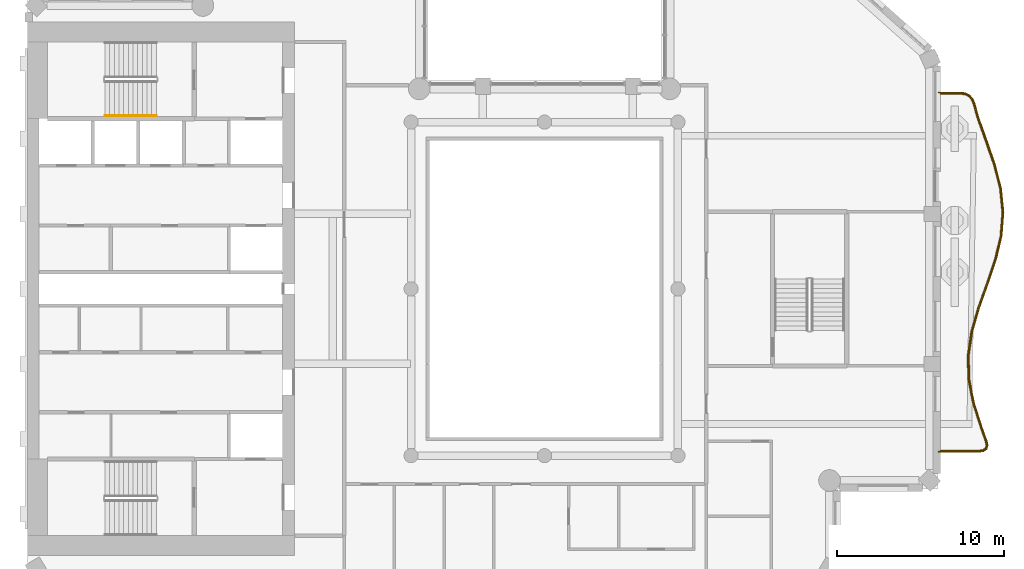
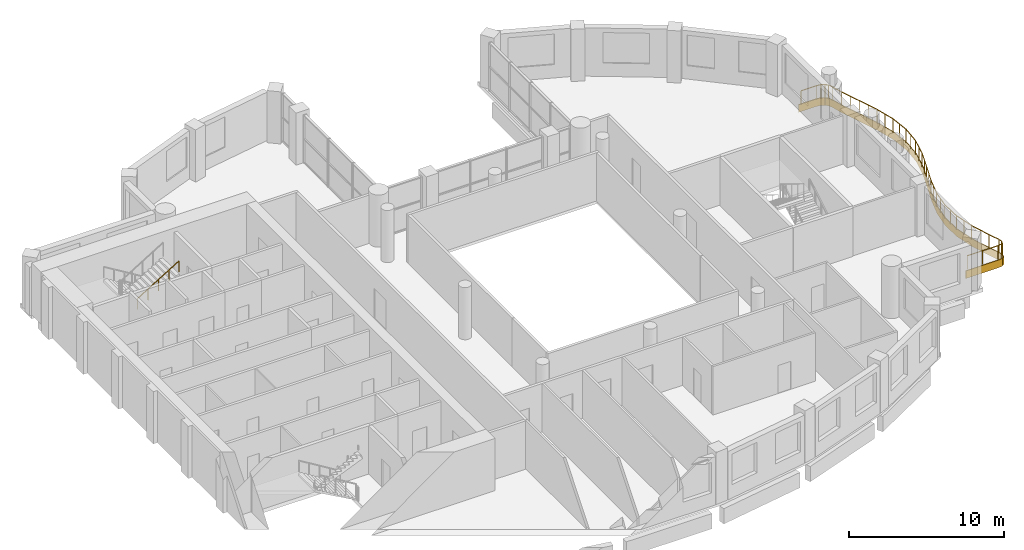
# One storey, part 12 of 14: 2 railings, 1 covering.
"""IFC4 building model written with IfcOpenShell, lengths in metres."""

from ifc_helpers import new_model, si_unit, direction, frame, origin, origin_2d, place, context, subcontext, project, spatial, polyline, rectangle, outline, extrude, material, layer, layer_set, type_object, element, save


model = new_model("IFC4")

# Units and contexts
model_context = context("Model", 3, precision=1e-05, world=origin(), true_north=direction((0.0, 1.0)))
body_context = subcontext(model_context, "Body", "Model", "MODEL_VIEW")
ifc_project = project(units=[si_unit("LENGTHUNIT", "METRE"), si_unit("AREAUNIT", "SQUARE_METRE"), si_unit("VOLUMEUNIT", "CUBIC_METRE"), si_unit("PLANEANGLEUNIT", "RADIAN"), si_unit("MASSUNIT", "GRAM", prefix="KILO")], contexts=[model_context])

# Site, building, storey
site_placement = place(None, origin())
site = spatial("IfcSite", under=ifc_project, at=site_placement, CompositionType="ELEMENT")
building_placement = place(site_placement, origin())
building = spatial("IfcBuilding", under=site, at=building_placement, Name="Cypress Arch Tower", CompositionType="ELEMENT")
storey_placement = place(building_placement, frame((0.0, 0.0, 276.199951171875)))
storey = spatial("IfcBuildingStorey", under=building, at=storey_placement, Name="L62", CompositionType="ELEMENT", Elevation=276.199951171875)

# Covering
ifc_material_1 = material(Name="White powder-coated aluminium fascia", Category="aluminium")
ifc_layer = layer(ifc_material_1, 0.050048828125)
ifc_layer_set = layer_set([ifc_layer], Name="Balcony fascia BF50")
covering_type = type_object("IfcCoveringType", Name="Balcony fascia BF50", PredefinedType="CLADDING", material=ifc_layer_set)
covering_placement = place(storey_placement, frame((0.0, 0.0, -0.599853515625)))
element("IfcCovering", 1, at=covering_placement, inside=storey, type_object=covering_type, Name="Balcony fascia L62-C17", PredefinedType="CLADDING", context=body_context, shape_type="SweptSolid", body=[
    extrude(outline(polyline([(25.92431640625, 11.800048828125), (26.239501953125, 11.758056640625), (26.497802734375, 11.629150390625), (26.690673828125, 11.414306640625), (26.814697265625, 11.121337890625), (27.031982421875, 10.331787109375), (27.5400390625, 8.89990234375), (28.038818359375, 7.46435546875), (28.405517578125, 6.025390625), (28.5498046875, 4.583740234375), (28.43505859375, 3.14208984375), (28.09033203125, 1.70263671875), (27.600830078125, 0.266845703125), (27.08740234375, -1.165283203125), (26.67529296875, -2.593994140625), (26.465087890625, -4.01953125), (26.507080078125, -5.4443359375), (26.791259765625, -6.870849609375), (27.249267578125, -8.300537109375), (27.5361328125, -9.09130859375), (27.5986328125, -9.388671875), (27.53515625, -9.619140625), (27.34033203125, -9.757568359375), (27.0390625, -9.800048828125), (24.60107421875, -9.800048828125), (24.60107421875, -9.75), (27.03564453125, -9.75), (27.3212890625, -9.709716796875), (27.49169921875, -9.5888671875), (27.54736328125, -9.38720703125), (27.48779296875, -9.10498046875), (27.201904296875, -8.316650390625), (26.742919921875, -6.88330078125), (26.457275390625, -5.449951171875), (26.414794921875, -4.0166015625), (26.62646484375, -2.583251953125), (27.039794921875, -1.14990234375), (27.5537109375, 0.283447265625), (28.042236328125, 1.716552734375), (28.385498046875, 3.14990234375), (28.49951171875, 4.583251953125), (28.356201171875, 6.0166015625), (27.99072265625, 7.449951171875), (27.49267578125, 8.88330078125), (26.984130859375, 10.316650390625), (26.767333984375, 11.10498046875), (26.64794921875, 11.38720703125), (26.467041015625, 11.5888671875), (26.224609375, 11.709716796875), (25.9208984375, 11.75), (24.60107421875, 11.75), (24.60107421875, 11.800048828125), (25.92431640625, 11.800048828125)])), origin(), (0.0, 0.0, 1.0), 0.599853515625),
])

# Railings
ifc_material_2 = material(Name="Powder-coated steel posts and rods, 100 mm clear between rods", Category="steel")
railing_type_1 = type_object("IfcRailingType", Name="Balcony guard GR1100", PredefinedType="GUARDRAIL", material=ifc_material_2)
railing_1_placement = place(storey_placement, frame((24.75, 11.699951171875, 0.0)))
element("IfcRailing", 2, at=railing_1_placement, inside=storey, type_object=railing_type_1, Name="Balcony guard L62-C17", PredefinedType="GUARDRAIL", context=body_context, shape_type="SweptSolid", body=[
    extrude(rectangle(XDim=0.050048828125, YDim=0.050048828125, at=origin_2d()), frame((0.0, 0.0, 1.0751953125), z_axis=(1.0, 0.0, 0.0), x_axis=(0.0, 1.0, 0.0)), (0.0, 0.0, 1.0), 1.167724609375),
    extrude(rectangle(XDim=0.050048828125, YDim=0.050048828125, at=origin_2d()), frame((1.167724609375, 0.0, 1.0751953125), z_axis=(0.99127849855, -0.131783679991, 0.0), x_axis=(0.131783679991, 0.99127849855, 0.0)), (0.0, 0.0, 1.0), 0.294677734375),
    extrude(rectangle(XDim=0.050048828125, YDim=0.050048828125, at=origin_2d()), frame((1.459716796875, -0.038818359375, 1.0751953125), z_axis=(0.895197581351, -0.445669485543, 0.0), x_axis=(0.445669485543, 0.895197581351, 0.0)), (0.0, 0.0, 1.0), 0.253173828125),
    extrude(rectangle(XDim=0.050048828125, YDim=0.050048828125, at=origin_2d()), frame((1.686279296875, -0.151611328125, 1.0751953125), z_axis=(0.667950867447, -0.744205373991, 0.0), x_axis=(0.744205373991, 0.667950867447, 0.0)), (0.0, 0.0, 1.0), 0.2529296875),
    extrude(rectangle(XDim=0.050048828125, YDim=0.050048828125, at=origin_2d()), frame((1.855224609375, -0.33984375, 1.0751953125), z_axis=(0.389315701492, -0.921104383103, 0.0), x_axis=(0.921104383103, 0.389315701492, 0.0)), (0.0, 0.0, 1.0), 0.294677734375),
    extrude(rectangle(XDim=0.050048828125, YDim=0.050048828125, at=origin_2d()), frame((1.969970703125, -0.611328125, 1.0751953125), z_axis=(0.265344205918, -0.96415374935, 0.0), x_axis=(0.96415374935, 0.265344205918, 0.0)), (0.0, 0.0, 1.0), 0.816162109375),
    extrude(rectangle(XDim=0.050048828125, YDim=0.050048828125, at=origin_2d()), frame((2.1865234375, -1.398193359375, 1.0751953125), z_axis=(0.33430418613, -0.94246523073, 0.0), x_axis=(0.94246523073, 0.33430418613, 0.0)), (0.0, 0.0, 1.0), 1.522705078125),
    extrude(rectangle(XDim=0.050048828125, YDim=0.050048828125, at=origin_2d()), frame((2.695556640625, -2.833251953125, 1.0751953125), z_axis=(0.328239365065, -0.944594579289, 0.0), x_axis=(0.944594579289, 0.328239365065, 0.0)), (0.0, 0.0, 1.0), 1.51513671875),
    extrude(rectangle(XDim=0.050048828125, YDim=0.050048828125, at=origin_2d()), frame((3.19287109375, -4.264404296875, 1.0751953125), z_axis=(0.247095241345, -0.96899119795, 0.0), x_axis=(0.96899119795, 0.247095241345, 0.0)), (0.0, 0.0, 1.0), 1.47314453125),
    extrude(rectangle(XDim=0.050048828125, YDim=0.050048828125, at=origin_2d()), frame((3.556884765625, -5.69189453125, 1.0751953125), z_axis=(0.099537469632, -0.995033814571, 0.0), x_axis=(0.995033814571, 0.099537469632, 0.0)), (0.0, 0.0, 1.0), 1.432373046875),
    extrude(rectangle(XDim=0.050048828125, YDim=0.050048828125, at=origin_2d()), frame((3.699462890625, -7.1171875, 1.0751953125), z_axis=(-0.079426139564, -0.996840753759, 0.0), x_axis=(0.996840753759, -0.079426139564, 0.0)), (0.0, 0.0, 1.0), 1.42919921875),
    extrude(rectangle(XDim=0.050048828125, YDim=0.050048828125, at=origin_2d()), frame((3.5859375, -8.5419921875, 1.0751953125), z_axis=(-0.232857081064, -0.972510966415, 0.0), x_axis=(0.972510966415, -0.232857081064, 0.0)), (0.0, 0.0, 1.0), 1.4677734375),
    extrude(rectangle(XDim=0.050048828125, YDim=0.050048828125, at=origin_2d()), frame((3.244140625, -9.969482421875, 1.0751953125), z_axis=(-0.322568683083, -0.946546060524, 0.0), x_axis=(0.946546060524, -0.322568683083, 0.0)), (0.0, 0.0, 1.0), 1.511474609375),
    extrude(rectangle(XDim=0.050048828125, YDim=0.050048828125, at=origin_2d()), frame((2.756591796875, -11.400146484375, 1.0751953125), z_axis=(-0.337584516121, -0.941295221743, 0.0), x_axis=(0.941295221743, -0.337584516121, 0.0)), (0.0, 0.0, 1.0), 1.523681640625),
    extrude(rectangle(XDim=0.050048828125, YDim=0.050048828125, at=origin_2d()), frame((2.2421875, -12.83447265625, 1.0751953125), z_axis=(-0.277111425007, -0.960837789708, 0.0), x_axis=(0.960837789708, -0.277111425007, 0.0)), (0.0, 0.0, 1.0), 1.496826171875),
    extrude(rectangle(XDim=0.050048828125, YDim=0.050048828125, at=origin_2d()), frame((1.827392578125, -14.272705078125, 1.0751953125), z_axis=(-0.145995834186, -0.989285204782, 0.0), x_axis=(0.989285204782, -0.145995834186, 0.0)), (0.0, 0.0, 1.0), 1.45654296875),
    extrude(rectangle(XDim=0.050048828125, YDim=0.050048828125, at=origin_2d()), frame((1.61474609375, -15.713623046875, 1.0751953125), z_axis=(0.029617884607, -0.999561294224, 0.0), x_axis=(0.999561294224, 0.029617884607, 0.0)), (0.0, 0.0, 1.0), 1.442626953125),
    extrude(rectangle(XDim=0.050048828125, YDim=0.050048828125, at=origin_2d()), frame((1.657470703125, -17.155517578125, 1.0751953125), z_axis=(0.195316901017, -0.980740183829, 0.0), x_axis=(0.980740183829, 0.195316901017, 0.0)), (0.0, 0.0, 1.0), 1.46875),
    extrude(rectangle(XDim=0.050048828125, YDim=0.050048828125, at=origin_2d()), frame((1.9443359375, -18.595947265625, 1.0751953125), z_axis=(0.305039943266, -0.952339557622, 0.0), x_axis=(0.952339557622, 0.305039943266, 0.0)), (0.0, 0.0, 1.0), 1.5087890625),
    extrude(rectangle(XDim=0.050048828125, YDim=0.050048828125, at=origin_2d()), frame((2.404541015625, -20.03271484375, 1.0751953125), z_axis=(0.341086453927, -0.940031930813, 0.0), x_axis=(0.940031930813, 0.341086453927, 0.0)), (0.0, 0.0, 1.0), 0.8359375),
    extrude(rectangle(XDim=0.050048828125, YDim=0.050048828125, at=origin_2d()), frame((2.689697265625, -20.818603515625, 1.0751953125), z_axis=(0.205920237191, -0.978568779348, 0.0), x_axis=(0.978568779348, 0.205920237191, 0.0)), (0.0, 0.0, 1.0), 0.272705078125),
    extrude(rectangle(XDim=0.050048828125, YDim=0.050048828125, at=origin_2d()), frame((2.745849609375, -21.08544921875, 1.0751953125), z_axis=(-0.265536257751, -0.964100874297, 0.0), x_axis=(0.964100874297, -0.265536257751, 0.0)), (0.0, 0.0, 1.0), 0.17919921875),
    extrude(rectangle(XDim=0.050048828125, YDim=0.050048828125, at=origin_2d()), frame((2.6982421875, -21.25830078125, 1.0751953125), z_axis=(-0.815756296258, -0.578395768584, 0.0), x_axis=(0.578395768584, -0.815756296258, 0.0)), (0.0, 0.0, 1.0), 0.178955078125),
    extrude(rectangle(XDim=0.050048828125, YDim=0.050048828125, at=origin_2d()), frame((2.55224609375, -21.36181640625, 1.0751953125), z_axis=(-0.990198621594, -0.13966635169, 0.0), x_axis=(0.13966635169, -0.990198621594, 0.0)), (0.0, 0.0, 1.0), 0.272705078125),
    extrude(rectangle(XDim=0.050048828125, YDim=0.050048828125, at=origin_2d()), frame((2.2822265625, -21.39990234375, 1.0751953125), z_axis=(-1.0, 0.0, 0.0), x_axis=(0.0, -1.0, 0.0)), (0.0, 0.0, 1.0), 2.2822265625),
    extrude(rectangle(XDim=0.0400390625, YDim=0.0400390625, at=origin_2d()), origin(), (0.0, 0.0, 1.0), 1.050048828125),
    extrude(rectangle(XDim=0.0400390625, YDim=0.0400390625, at=origin_2d()), frame((1.167724609375, 0.0, 0.0)), (0.0, 0.0, 1.0), 1.050048828125),
    extrude(rectangle(XDim=0.0400390625, YDim=0.0400390625, at=origin_2d()), frame((1.459716796875, -0.038818359375, 0.0)), (0.0, 0.0, 1.0), 1.050048828125),
    extrude(rectangle(XDim=0.0400390625, YDim=0.0400390625, at=origin_2d()), frame((1.686279296875, -0.151611328125, 0.0)), (0.0, 0.0, 1.0), 1.050048828125),
    extrude(rectangle(XDim=0.0400390625, YDim=0.0400390625, at=origin_2d()), frame((1.855224609375, -0.33984375, 0.0)), (0.0, 0.0, 1.0), 1.050048828125),
    extrude(rectangle(XDim=0.0400390625, YDim=0.0400390625, at=origin_2d()), frame((1.969970703125, -0.611328125, 0.0)), (0.0, 0.0, 1.0), 1.050048828125),
    extrude(rectangle(XDim=0.0400390625, YDim=0.0400390625, at=origin_2d()), frame((2.1865234375, -1.398193359375, 0.0)), (0.0, 0.0, 1.0), 1.050048828125),
    extrude(rectangle(XDim=0.0400390625, YDim=0.0400390625, at=origin_2d()), frame((2.44091796875, -2.11572265625, 0.0)), (0.0, 0.0, 1.0), 1.050048828125),
    extrude(rectangle(XDim=0.0400390625, YDim=0.0400390625, at=origin_2d()), frame((2.695556640625, -2.833251953125, 0.0)), (0.0, 0.0, 1.0), 1.050048828125),
    extrude(rectangle(XDim=0.0400390625, YDim=0.0400390625, at=origin_2d()), frame((2.9443359375, -3.548828125, 0.0)), (0.0, 0.0, 1.0), 1.050048828125),
    extrude(rectangle(XDim=0.0400390625, YDim=0.0400390625, at=origin_2d()), frame((3.19287109375, -4.264404296875, 0.0)), (0.0, 0.0, 1.0), 1.050048828125),
    extrude(rectangle(XDim=0.0400390625, YDim=0.0400390625, at=origin_2d()), frame((3.375, -4.97802734375, 0.0)), (0.0, 0.0, 1.0), 1.050048828125),
    extrude(rectangle(XDim=0.0400390625, YDim=0.0400390625, at=origin_2d()), frame((3.556884765625, -5.69189453125, 0.0)), (0.0, 0.0, 1.0), 1.050048828125),
    extrude(rectangle(XDim=0.0400390625, YDim=0.0400390625, at=origin_2d()), frame((3.628173828125, -6.404541015625, 0.0)), (0.0, 0.0, 1.0), 1.050048828125),
    extrude(rectangle(XDim=0.0400390625, YDim=0.0400390625, at=origin_2d()), frame((3.699462890625, -7.1171875, 0.0)), (0.0, 0.0, 1.0), 1.050048828125),
    extrude(rectangle(XDim=0.0400390625, YDim=0.0400390625, at=origin_2d()), frame((3.642578125, -7.82958984375, 0.0)), (0.0, 0.0, 1.0), 1.050048828125),
    extrude(rectangle(XDim=0.0400390625, YDim=0.0400390625, at=origin_2d()), frame((3.5859375, -8.5419921875, 0.0)), (0.0, 0.0, 1.0), 1.050048828125),
    extrude(rectangle(XDim=0.0400390625, YDim=0.0400390625, at=origin_2d()), frame((3.4150390625, -9.255859375, 0.0)), (0.0, 0.0, 1.0), 1.050048828125),
    extrude(rectangle(XDim=0.0400390625, YDim=0.0400390625, at=origin_2d()), frame((3.244140625, -9.969482421875, 0.0)), (0.0, 0.0, 1.0), 1.050048828125),
    extrude(rectangle(XDim=0.0400390625, YDim=0.0400390625, at=origin_2d()), frame((3.00048828125, -10.684814453125, 0.0)), (0.0, 0.0, 1.0), 1.050048828125),
    extrude(rectangle(XDim=0.0400390625, YDim=0.0400390625, at=origin_2d()), frame((2.756591796875, -11.400146484375, 0.0)), (0.0, 0.0, 1.0), 1.050048828125),
    extrude(rectangle(XDim=0.0400390625, YDim=0.0400390625, at=origin_2d()), frame((2.49951171875, -12.1171875, 0.0)), (0.0, 0.0, 1.0), 1.050048828125),
    extrude(rectangle(XDim=0.0400390625, YDim=0.0400390625, at=origin_2d()), frame((2.2421875, -12.83447265625, 0.0)), (0.0, 0.0, 1.0), 1.050048828125),
    extrude(rectangle(XDim=0.0400390625, YDim=0.0400390625, at=origin_2d()), frame((2.03466796875, -13.5537109375, 0.0)), (0.0, 0.0, 1.0), 1.050048828125),
    extrude(rectangle(XDim=0.0400390625, YDim=0.0400390625, at=origin_2d()), frame((1.827392578125, -14.272705078125, 0.0)), (0.0, 0.0, 1.0), 1.050048828125),
    extrude(rectangle(XDim=0.0400390625, YDim=0.0400390625, at=origin_2d()), frame((1.72119140625, -14.9931640625, 0.0)), (0.0, 0.0, 1.0), 1.050048828125),
    extrude(rectangle(XDim=0.0400390625, YDim=0.0400390625, at=origin_2d()), frame((1.61474609375, -15.713623046875, 0.0)), (0.0, 0.0, 1.0), 1.050048828125),
    extrude(rectangle(XDim=0.0400390625, YDim=0.0400390625, at=origin_2d()), frame((1.63623046875, -16.4345703125, 0.0)), (0.0, 0.0, 1.0), 1.050048828125),
    extrude(rectangle(XDim=0.0400390625, YDim=0.0400390625, at=origin_2d()), frame((1.657470703125, -17.155517578125, 0.0)), (0.0, 0.0, 1.0), 1.050048828125),
    extrude(rectangle(XDim=0.0400390625, YDim=0.0400390625, at=origin_2d()), frame((1.80078125, -17.875732421875, 0.0)), (0.0, 0.0, 1.0), 1.050048828125),
    extrude(rectangle(XDim=0.0400390625, YDim=0.0400390625, at=origin_2d()), frame((1.9443359375, -18.595947265625, 0.0)), (0.0, 0.0, 1.0), 1.050048828125),
    extrude(rectangle(XDim=0.0400390625, YDim=0.0400390625, at=origin_2d()), frame((2.17431640625, -19.314453125, 0.0)), (0.0, 0.0, 1.0), 1.050048828125),
    extrude(rectangle(XDim=0.0400390625, YDim=0.0400390625, at=origin_2d()), frame((2.404541015625, -20.03271484375, 0.0)), (0.0, 0.0, 1.0), 1.050048828125),
    extrude(rectangle(XDim=0.0400390625, YDim=0.0400390625, at=origin_2d()), frame((2.689697265625, -20.818603515625, 0.0)), (0.0, 0.0, 1.0), 1.050048828125),
    extrude(rectangle(XDim=0.0400390625, YDim=0.0400390625, at=origin_2d()), frame((2.745849609375, -21.08544921875, 0.0)), (0.0, 0.0, 1.0), 1.050048828125),
    extrude(rectangle(XDim=0.0400390625, YDim=0.0400390625, at=origin_2d()), frame((2.6982421875, -21.25830078125, 0.0)), (0.0, 0.0, 1.0), 1.050048828125),
    extrude(rectangle(XDim=0.0400390625, YDim=0.0400390625, at=origin_2d()), frame((2.55224609375, -21.36181640625, 0.0)), (0.0, 0.0, 1.0), 1.050048828125),
    extrude(rectangle(XDim=0.0400390625, YDim=0.0400390625, at=origin_2d()), frame((2.2822265625, -21.39990234375, 0.0)), (0.0, 0.0, 1.0), 1.050048828125),
    extrude(rectangle(XDim=0.0400390625, YDim=0.0400390625, at=origin_2d()), frame((1.14111328125, -21.39990234375, 0.0)), (0.0, 0.0, 1.0), 1.050048828125),
    extrude(rectangle(XDim=0.0400390625, YDim=0.0400390625, at=origin_2d()), frame((0.0, -21.39990234375, 0.0)), (0.0, 0.0, 1.0), 1.050048828125),
])
ifc_material_3 = material(Name="Black powder-coated steel square bar 48 mm", Category="steel")
railing_type_2 = type_object("IfcRailingType", Name="Stair handrail HR1", PredefinedType="HANDRAIL", material=ifc_material_3)
railing_2_placement = place(storey_placement, frame((-25.35498046875, 10.375, 2.220947265625)))
element("IfcRailing", 3, at=railing_2_placement, inside=storey, type_object=railing_type_2, Name="L62 B stair handrail 2", PredefinedType="HANDRAIL", context=body_context, shape_type="SweptSolid", body=[
    extrude(rectangle(XDim=0.048095703125, YDim=0.048095703125, at=origin_2d()), frame((0.0, 0.0, 0.8759765625), z_axis=(0.853666305674, 0.0, 0.52082035152), x_axis=(0.0, 1.0, 0.0)), (0.0, 0.0, 1.0), 3.608154296875),
    extrude(rectangle(XDim=0.0419921875, YDim=0.0419921875, at=origin_2d()), origin(), (0.0, 0.0, 1.0), 0.851806640625),
    extrude(rectangle(XDim=0.0419921875, YDim=0.0419921875, at=origin_2d()), frame((0.77001953125, 0.0, 0.4697265625)), (0.0, 0.0, 1.0), 0.851806640625),
    extrude(rectangle(XDim=0.0419921875, YDim=0.0419921875, at=origin_2d()), frame((1.5400390625, 0.0, 0.939453125)), (0.0, 0.0, 1.0), 0.851806640625),
    extrude(rectangle(XDim=0.0419921875, YDim=0.0419921875, at=origin_2d()), frame((2.31005859375, 0.0, 1.409423828125)), (0.0, 0.0, 1.0), 0.851806640625),
    extrude(rectangle(XDim=0.0419921875, YDim=0.0419921875, at=origin_2d()), frame((3.080078125, 0.0, 1.879150390625)), (0.0, 0.0, 1.0), 0.851806640625),
])

save(model, "model.ifc")
